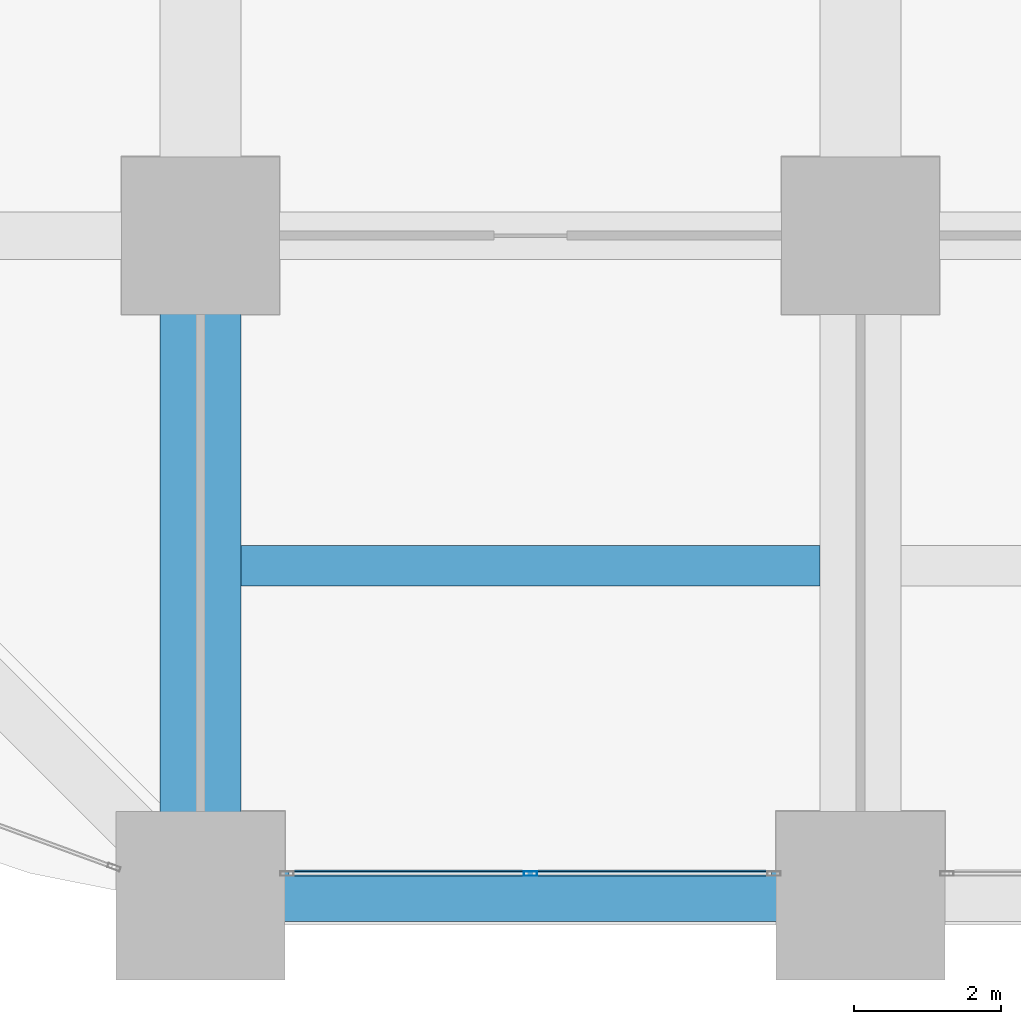
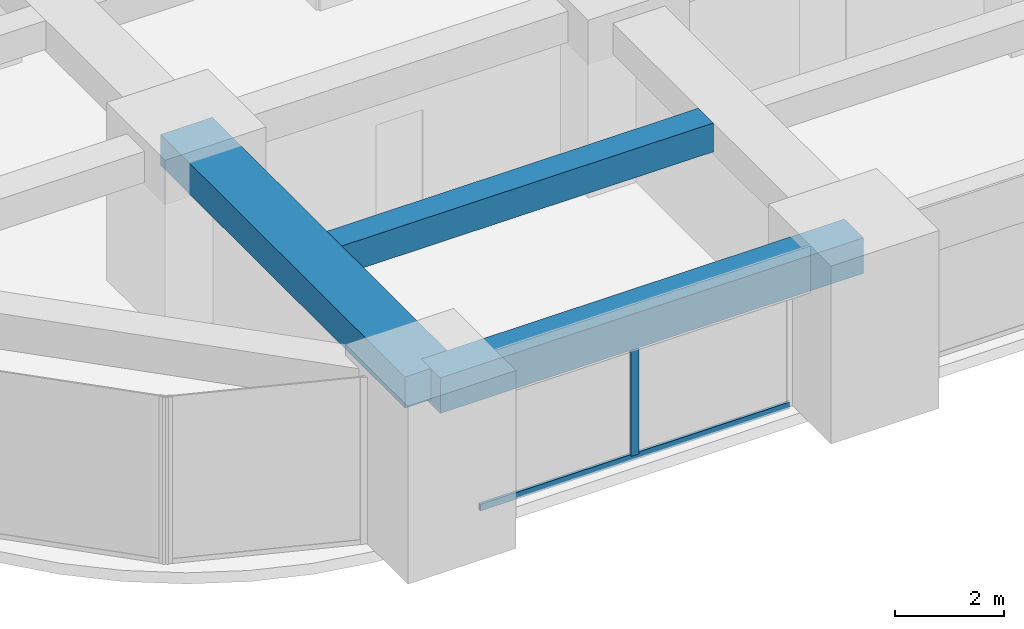
# One storey, part 3 of 44: 3 beams, 2 members, 1 element without a shape of its own.
"""IFC4 building model written with IfcOpenShell, lengths in metres."""

from ifc_helpers import new_model, si_unit, direction, frame, origin, origin_2d, place, context, subcontext, project, spatial, rectangle, hollow_rectangle, extrude, material, material_profile, profile_set, type_object, element, aggregate, save


model = new_model("IFC4")

# Units and contexts
model_context = context("Model", 3, precision=1e-05, world=origin(), true_north=direction((0.0, 1.0)))
body_context = subcontext(model_context, "Body", "Model", "MODEL_VIEW")
ifc_project = project(units=[si_unit("LENGTHUNIT", "METRE"), si_unit("AREAUNIT", "SQUARE_METRE"), si_unit("VOLUMEUNIT", "CUBIC_METRE"), si_unit("PLANEANGLEUNIT", "RADIAN"), si_unit("MASSUNIT", "GRAM", prefix="KILO")], contexts=[model_context])

# Site, building, storey
site_placement = place(None, origin())
site = spatial("IfcSite", under=ifc_project, at=site_placement, CompositionType="ELEMENT")
building_placement = place(site_placement, origin())
building = spatial("IfcBuilding", under=site, at=building_placement, Name="Zorevar Civic Tower", CompositionType="ELEMENT")
storey_placement = place(building_placement, frame((0.0, 0.0, 55.800048828125)))
storey = spatial("IfcBuildingStorey", under=building, at=storey_placement, Name="L13", CompositionType="ELEMENT", Elevation=55.800048828125)

# Beams
ifc_material_1 = material(Name="Concrete C50/60", Category="concrete")
ifc_material_profile_1 = material_profile(ifc_material_1, rectangle(XDim=1.10009765625, YDim=0.699951171875, at=origin_2d()), Name="RC 1100x700")
ifc_profile_set_1 = profile_set([ifc_material_profile_1], Name="Concrete C50/60")
beam_type_1 = type_object("IfcBeamType", Name="Beam RC 1100x700", PredefinedType="BEAM", material=ifc_profile_set_1)
beam_1_placement = place(storey_placement, frame((9.0, 0.0, 3.39990234375), z_axis=(0.0, 1.0, 0.0), x_axis=(-1.0, 0.0, 0.0)))
element("IfcBeam", 1, at=beam_1_placement, inside=storey, type_object=beam_type_1, Name="Girder L14", PredefinedType="BEAM", context=body_context, shape_type="SweptSolid", body=[
    extrude(rectangle(XDim=1.10009765625, YDim=0.699951171875, at=origin_2d()), origin(), (0.0, 0.0, 1.0), 9.0),
])
ifc_material_2 = material(Name="Concrete C50/60", Category="concrete")
ifc_material_profile_2 = material_profile(ifc_material_2, rectangle(XDim=0.550048828125, YDim=0.64990234375, at=origin_2d()), Name="RC 550x650")
ifc_profile_set_2 = profile_set([ifc_material_profile_2], Name="Concrete C50/60")
beam_type_2 = type_object("IfcBeamType", Name="Beam RC 550x650", PredefinedType="BEAM", material=ifc_profile_set_2)
beam_2_placement = place(storey_placement, frame((9.550048828125, 4.5, 3.425048828125), z_axis=(1.0, 0.0, 0.0), x_axis=(0.0, 1.0, 0.0)))
element("IfcBeam", 2, at=beam_2_placement, inside=storey, type_object=beam_type_2, Name="Secondary beam L14", PredefinedType="BEAM", context=body_context, shape_type="SweptSolid", body=[
    extrude(rectangle(XDim=0.550048828125, YDim=0.64990234375, at=origin_2d()), origin(), (0.0, 0.0, 1.0), 7.89990234375),
])

# Curtain wall, members
ifc_material_3 = material(Name="Dark grey solar-control glass in black aluminium frame", Category="aluminium")
curtain_wall_type = type_object("IfcCurtainWallType", Name="Curtain wall CW2 low zone", PredefinedType="NOTDEFINED", material=ifc_material_3)
curtain_wall_placement = place(storey_placement, origin())
curtain_wall = element("IfcCurtainWall", 3, at=curtain_wall_placement, inside=storey, type_object=curtain_wall_type, Name="CW2 L13", PredefinedType="NOTDEFINED")
ifc_material_4 = material(Name="Aluminium, black anodised", Category="aluminium")
ifc_material_profile_3 = material_profile(ifc_material_4, hollow_rectangle(XDim=0.06005859375, YDim=0.179931640625, WallThickness=0.00390625, at=origin_2d()), Name="AL 180x60x4")
ifc_profile_set_3 = profile_set([ifc_material_profile_3], Name="Aluminium, black anodised")
member_type_1 = type_object("IfcMemberType", Name="CW2 mullion AL 180x60x4", PredefinedType="MULLION", material=ifc_profile_set_3)
member_1_placement = place(storey_placement, frame((13.5, 0.300048828125, 0.06005859375), z_axis=(0.0, 0.0, 1.0), x_axis=(0.0, 1.0, 0.0)))
member_1 = element("IfcMember", 4, at=member_1_placement, type_object=member_type_1, Name="CW2 mullion 2", PredefinedType="MULLION", context=body_context, shape_type="SweptSolid", body=[
    extrude(hollow_rectangle(XDim=0.06005859375, YDim=0.179931640625, WallThickness=0.00390625, at=origin_2d()), origin(), (0.0, 0.0, 1.0), 2.889892578125),
])
ifc_material_5 = material(Name="Aluminium, black anodised", Category="aluminium")
ifc_material_profile_4 = material_profile(ifc_material_5, hollow_rectangle(XDim=0.06005859375, YDim=0.14990234375, WallThickness=0.00390625, at=origin_2d()), Name="AL 150x60x4")
ifc_profile_set_4 = profile_set([ifc_material_profile_4], Name="Aluminium, black anodised")
member_type_2 = type_object("IfcMemberType", Name="CW2 transom AL 150x60x4", PredefinedType="USERDEFINED", material=ifc_profile_set_4)
member_2_placement = place(storey_placement, frame((10.2099609375, 0.300048828125, 0.030029296875), z_axis=(1.0, 0.0, 0.0), x_axis=(0.0, 1.0, 0.0)))
member_2 = element("IfcMember", 5, at=member_2_placement, type_object=member_type_2, Name="CW2 sill transom", ObjectType="TRANSOM", PredefinedType="USERDEFINED", context=body_context, shape_type="SweptSolid", body=[
    extrude(hollow_rectangle(XDim=0.06005859375, YDim=0.14990234375, WallThickness=0.00390625, at=origin_2d()), origin(), (0.0, 0.0, 1.0), 6.580078125),
])
aggregate(curtain_wall, [member_1, member_2])

# Beam
ifc_material_6 = material(Name="Concrete C50/60", Category="concrete")
ifc_material_profile_5 = material_profile(ifc_material_6, rectangle(XDim=0.699951171875, YDim=0.800048828125, at=origin_2d()), Name="RC 700x800")
ifc_profile_set_5 = profile_set([ifc_material_profile_5], Name="Concrete C50/60")
beam_type_3 = type_object("IfcBeamType", Name="Edge beam RC 700x800", PredefinedType="SPANDREL", material=ifc_profile_set_5)
beam_3_placement = place(storey_placement, frame((9.0, 0.0, 3.349853515625), z_axis=(1.0, 0.0, 0.0), x_axis=(0.0, 1.0, 0.0)))
element("IfcBeam", 6, at=beam_3_placement, inside=storey, type_object=beam_type_3, Name="Edge beam L14", PredefinedType="SPANDREL", context=body_context, shape_type="SweptSolid", body=[
    extrude(rectangle(XDim=0.699951171875, YDim=0.800048828125, at=origin_2d()), origin(), (0.0, 0.0, 1.0), 9.0),
])

save(model, "model.ifc")
